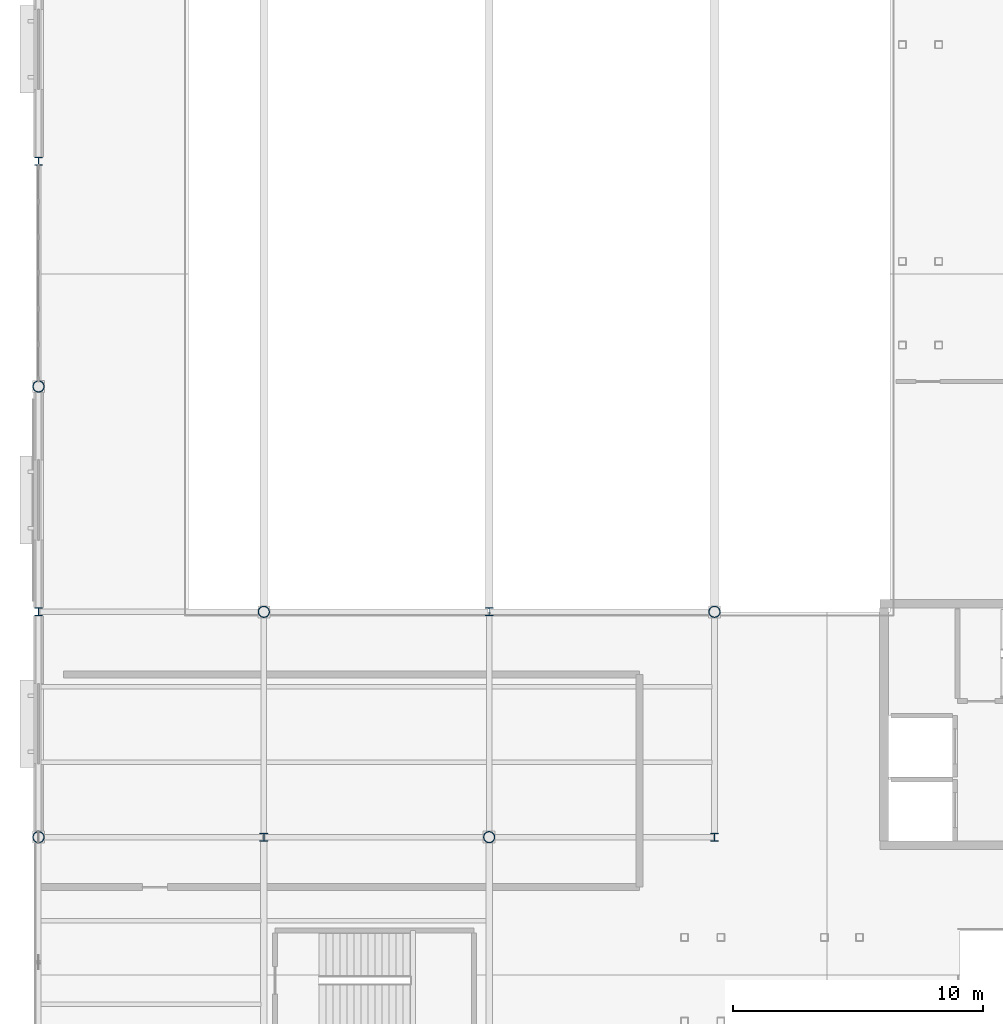
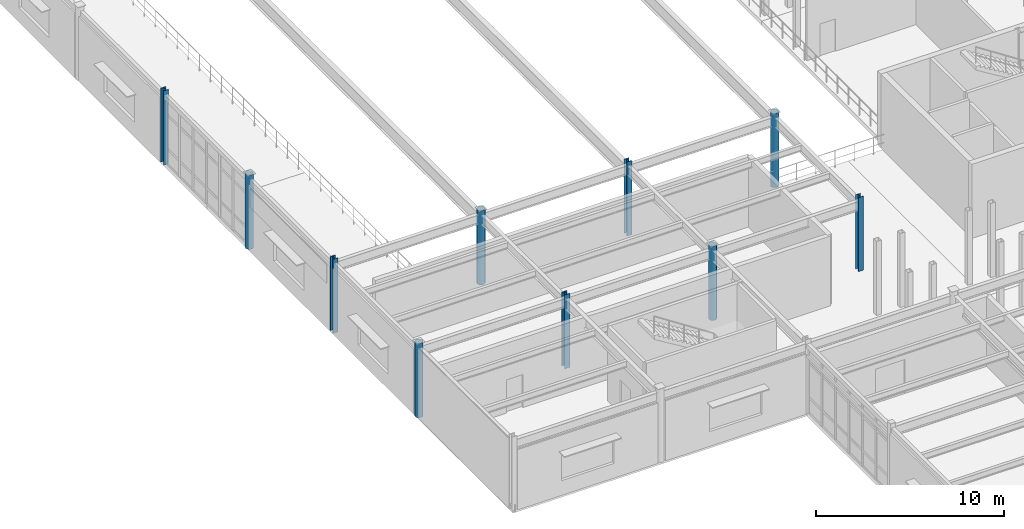
# One storey, part 10 of 86: 10 columns.
"""IFC4 building model written with IfcOpenShell, lengths in metres."""

from ifc_helpers import new_model, si_unit, direction, frame, origin, origin_2d, place, context, subcontext, project, spatial, hollow_circle, i_section, extrude, material, material_profile, profile_set, type_object, element, save


model = new_model("IFC4")

# Units and contexts
model_context = context("Model", 3, precision=1e-05, world=origin(), true_north=direction((0.0, 1.0)))
body_context = subcontext(model_context, "Body", "Model", "MODEL_VIEW")
ifc_project = project(units=[si_unit("LENGTHUNIT", "METRE"), si_unit("AREAUNIT", "SQUARE_METRE"), si_unit("VOLUMEUNIT", "CUBIC_METRE"), si_unit("PLANEANGLEUNIT", "RADIAN"), si_unit("MASSUNIT", "GRAM", prefix="KILO")], contexts=[model_context])

# Site, building, storey
site_placement = place(None, origin())
site = spatial("IfcSite", under=ifc_project, at=site_placement, CompositionType="ELEMENT")
building_placement = place(site_placement, origin())
building = spatial("IfcBuilding", under=site, at=building_placement, Name="Glasvene Arena", CompositionType="ELEMENT")
storey_placement = place(building_placement, frame((0.0, 0.0, 5.39990234375)))
storey = spatial("IfcBuildingStorey", under=building, at=storey_placement, Name="L01", CompositionType="ELEMENT", Elevation=5.39990234375)

# Columns
ifc_material = material(Name="Steel S355J2", Category="steel")
ifc_material_profile_1 = material_profile(ifc_material, hollow_circle(Radius=0.228515625, WallThickness=0.02001953125, at=origin_2d()), Name="CHS 457.0x20.0")
ifc_profile_set_1 = profile_set([ifc_material_profile_1], Name="Steel S355J2")
column_type_1 = type_object("IfcColumnType", Name="COL-W-CHS457", PredefinedType="COLUMN", material=ifc_profile_set_1)
for number, where, z_axis, x_axis, name in (
    (1, (0.0, 64.0, 0.0), (0.0, 0.0, 1.0), (1.0, 0.0, 0.0), "Grid column 1-8 L01"),
    (2, (0.0, 82.0, 0.0), (0.0, 0.0, 1.0), (1.0, 0.0, 0.0), "Grid column 1-10 L01"),
    (3, (9.0, 73.0, 0.0), (0.0, 0.0, 1.0), (1.0, 0.0, 0.0), "Grid column 2-9 L01"),
    (4, (18.0, 64.0, 0.0), (0.0, 0.0, 1.0), (1.0, 0.0, 0.0), "Grid column 3-8 L01"),
    (5, (27.0, 73.0, 0.0), (0.0, 0.0, 1.0), (1.0, 0.0, 0.0), "Grid column 4-9 L01"),
):
    element("IfcColumn", number, at=place(storey_placement, frame(where, z_axis=z_axis, x_axis=x_axis)), inside=storey, type_object=column_type_1, Name=name, PredefinedType="COLUMN", context=body_context, shape_type="SweptSolid", body=[
        extrude(hollow_circle(Radius=0.228515625, WallThickness=0.02001953125, at=origin_2d()), origin(), (0.0, 0.0, 1.0), 4.800048828125),
    ])
ifc_material_profile_2 = material_profile(ifc_material, i_section(OverallWidth=0.30908203125, OverallDepth=0.320556640625, WebThickness=0.013916015625, FlangeThickness=0.021728515625, FilletRadius=0.01513671875, at=origin_2d()), Name="UKC 305x305x137")
ifc_profile_set_2 = profile_set([ifc_material_profile_2], Name="Steel S355J2")
column_type_2 = type_object("IfcColumnType", Name="COL-W-UKC137", PredefinedType="COLUMN", material=ifc_profile_set_2)
for number, where, z_axis, x_axis, name in (
    (6, (0.0, 73.0, 0.0), (0.0, 0.0, 1.0), (1.0, 0.0, 0.0), "Grid column 1-9 L01"),
    (7, (0.0, 91.0, 0.0), (0.0, 0.0, 1.0), (1.0, 0.0, 0.0), "Grid column 1-11 L01"),
    (8, (9.0, 64.0, 0.0), (0.0, 0.0, 1.0), (1.0, 0.0, 0.0), "Grid column 2-8 L01"),
    (9, (18.0, 73.0, 0.0), (0.0, 0.0, 1.0), (1.0, 0.0, 0.0), "Grid column 3-9 L01"),
    (10, (27.0, 64.0, 0.0), (0.0, 0.0, 1.0), (1.0, 0.0, 0.0), "Grid column 4-8 L01"),
):
    element("IfcColumn", number, at=place(storey_placement, frame(where, z_axis=z_axis, x_axis=x_axis)), inside=storey, type_object=column_type_2, Name=name, PredefinedType="COLUMN", context=body_context, shape_type="SweptSolid", body=[
        extrude(i_section(OverallWidth=0.30908203125, OverallDepth=0.320556640625, WebThickness=0.013916015625, FlangeThickness=0.021728515625, FilletRadius=0.01513671875, at=origin_2d()), origin(), (0.0, 0.0, 1.0), 4.800048828125),
    ])

save(model, "model.ifc")
